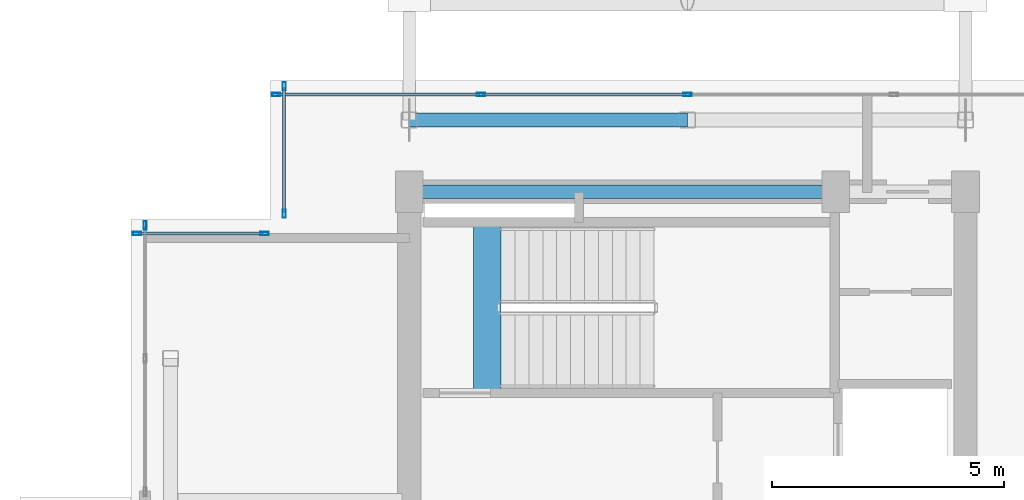
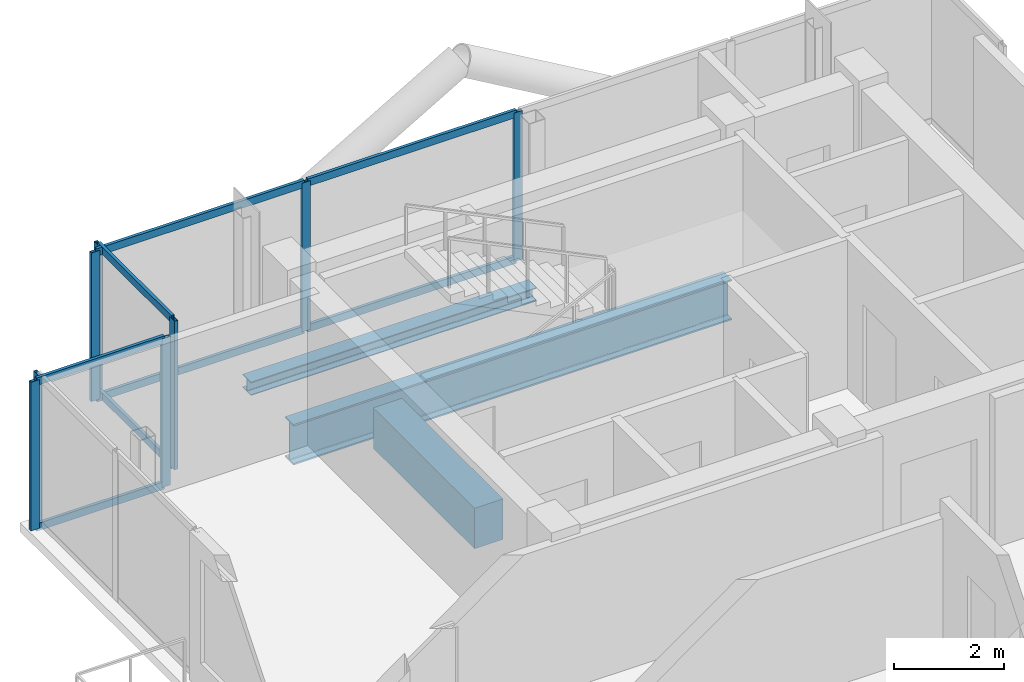
# One storey, part 8 of 18: 16 members, 3 beams, 4 elements without a shape of their own.
"""IFC4 building model written with IfcOpenShell, lengths in metres."""

from ifc_helpers import new_model, si_unit, direction, frame, origin, origin_2d, place, context, subcontext, project, spatial, rectangle, hollow_rectangle, i_section, extrude, material, layer, layer_set, material_profile, profile_set, type_object, element, aggregate, save


model = new_model("IFC4")

# Units and contexts
model_context = context("Model", 3, precision=1e-05, world=origin(), true_north=direction((0.0, 1.0)))
body_context = subcontext(model_context, "Body", "Model", "MODEL_VIEW")
ifc_project = project(units=[si_unit("LENGTHUNIT", "METRE"), si_unit("AREAUNIT", "SQUARE_METRE"), si_unit("VOLUMEUNIT", "CUBIC_METRE"), si_unit("PLANEANGLEUNIT", "RADIAN"), si_unit("MASSUNIT", "GRAM", prefix="KILO"), si_unit("THERMODYNAMICTEMPERATUREUNIT", "KELVIN"), si_unit("POWERUNIT", "WATT")], contexts=[model_context])

# Site, building, storey
site_placement = place(None, origin())
site = spatial("IfcSite", under=ifc_project, at=site_placement, CompositionType="ELEMENT")
building_placement = place(site_placement, origin())
building = spatial("IfcBuilding", under=site, at=building_placement, Name="Svarakhadi Broadcast Tower", CompositionType="ELEMENT")
storey_placement = place(building_placement, frame((0.0, 0.0, 278.199951171875)))
storey = spatial("IfcBuildingStorey", under=building, at=storey_placement, Name="L70", CompositionType="ELEMENT", Elevation=278.199951171875)

# Curtain wall, member
ifc_material_1 = material(Name="Anodised Bronze Aluminium AA 6063-T6", Category="aluminium")
ifc_layer = layer(ifc_material_1, 0.179931640625)
ifc_layer_set = layer_set([ifc_layer], Name="Anodised Bronze Aluminium AA 6063-T6")
curtain_wall_type = type_object("IfcCurtainWallType", Name="CW_Sys_05", PredefinedType="NOTDEFINED", material=ifc_layer_set)
curtain_wall_1_placement = place(storey_placement, origin())
curtain_wall_1 = element("IfcCurtainWall", 1, at=curtain_wall_1_placement, inside=storey, type_object=curtain_wall_type, Name="L70 West Curtain Wall 03", PredefinedType="NOTDEFINED")
ifc_material_profile_1 = material_profile(ifc_material_1, hollow_rectangle(XDim=0.070068359375, YDim=0.179931640625, WallThickness=0.005615234375, at=origin_2d()), Name="ALU MULLION 180x70x6")
ifc_profile_set_1 = profile_set([ifc_material_profile_1], Name="Anodised Bronze Aluminium AA 6063-T6")
member_type_1 = type_object("IfcMemberType", Name="CW_Sys_05_Mul", PredefinedType="MULLION", material=ifc_profile_set_1)
member_1_placement = place(storey_placement, frame((0.300048828125, 26.875, 0.0), z_axis=(0.0, 0.0, 1.0), x_axis=(-1.0, 0.0, 0.0)))
member_1 = element("IfcMember", 2, at=member_1_placement, type_object=member_type_1, Name="CW-05 mullion 3", PredefinedType="MULLION", context=body_context, shape_type="SweptSolid", body=[
    extrude(hollow_rectangle(XDim=0.070068359375, YDim=0.179931640625, WallThickness=0.005615234375, at=origin_2d()), origin(), (0.0, 0.0, 1.0), 3.300048828125),
])
aggregate(curtain_wall_1, [member_1])

# Curtain wall, members
curtain_wall_2_placement = place(storey_placement, origin())
curtain_wall_2 = element("IfcCurtainWall", 3, at=curtain_wall_2_placement, inside=storey, type_object=curtain_wall_type, Name="L70 Unitised Facade Curtain Wall 04", PredefinedType="NOTDEFINED")
member_2_placement = place(storey_placement, frame((0.125, 26.699951171875, 0.0), z_axis=(0.0, 0.0, 1.0), x_axis=(0.0, 1.0, 0.0)))
member_2 = element("IfcMember", 4, at=member_2_placement, type_object=member_type_1, Name="CW-05 mullion 1", PredefinedType="MULLION", context=body_context, shape_type="SweptSolid", body=[
    extrude(hollow_rectangle(XDim=0.070068359375, YDim=0.179931640625, WallThickness=0.005615234375, at=origin_2d()), origin(), (0.0, 0.0, 1.0), 3.300048828125),
])
member_3_placement = place(storey_placement, frame((2.875, 26.699951171875, 0.0), z_axis=(0.0, 0.0, 1.0), x_axis=(0.0, 1.0, 0.0)))
member_3 = element("IfcMember", 5, at=member_3_placement, type_object=member_type_1, Name="CW-05 mullion 2", PredefinedType="MULLION", context=body_context, shape_type="SweptSolid", body=[
    extrude(hollow_rectangle(XDim=0.070068359375, YDim=0.179931640625, WallThickness=0.005615234375, at=origin_2d()), origin(), (0.0, 0.0, 1.0), 3.300048828125),
])

curtain_wall_3_placement = place(storey_placement, origin())
curtain_wall_3 = element("IfcCurtainWall", 6, at=curtain_wall_3_placement, inside=storey, type_object=curtain_wall_type, Name="L70 Unitised Facade Curtain Wall 05", PredefinedType="NOTDEFINED")
member_4_placement = place(storey_placement, frame((3.300048828125, 27.125, 0.0), z_axis=(0.0, 0.0, 1.0), x_axis=(-1.0, 0.0, 0.0)))
member_4 = element("IfcMember", 7, at=member_4_placement, type_object=member_type_1, Name="CW-05 mullion 1", PredefinedType="MULLION", context=body_context, shape_type="SweptSolid", body=[
    extrude(hollow_rectangle(XDim=0.070068359375, YDim=0.179931640625, WallThickness=0.005615234375, at=origin_2d()), origin(), (0.0, 0.0, 1.0), 3.300048828125),
])
member_5_placement = place(storey_placement, frame((3.300048828125, 29.875, 0.0), z_axis=(0.0, 0.0, 1.0), x_axis=(-1.0, 0.0, 0.0)))
member_5 = element("IfcMember", 8, at=member_5_placement, type_object=member_type_1, Name="CW-05 mullion 2", PredefinedType="MULLION", context=body_context, shape_type="SweptSolid", body=[
    extrude(hollow_rectangle(XDim=0.070068359375, YDim=0.179931640625, WallThickness=0.005615234375, at=origin_2d()), origin(), (0.0, 0.0, 1.0), 3.300048828125),
])

curtain_wall_4_placement = place(storey_placement, origin())
curtain_wall_4 = element("IfcCurtainWall", 9, at=curtain_wall_4_placement, inside=storey, type_object=curtain_wall_type, Name="L70 Unitised Facade Curtain Wall 06", PredefinedType="NOTDEFINED")
member_6_placement = place(storey_placement, frame((3.125, 29.699951171875, 0.0), z_axis=(0.0, 0.0, 1.0), x_axis=(0.0, 1.0, 0.0)))
member_6 = element("IfcMember", 10, at=member_6_placement, type_object=member_type_1, Name="CW-05 mullion 1", PredefinedType="MULLION", context=body_context, shape_type="SweptSolid", body=[
    extrude(hollow_rectangle(XDim=0.070068359375, YDim=0.179931640625, WallThickness=0.005615234375, at=origin_2d()), origin(), (0.0, 0.0, 1.0), 3.300048828125),
])
member_7_placement = place(storey_placement, frame((7.544921875, 29.699951171875, 0.0), z_axis=(0.0, 0.0, 1.0), x_axis=(0.0, 1.0, 0.0)))
member_7 = element("IfcMember", 11, at=member_7_placement, type_object=member_type_1, Name="CW-05 mullion 2", PredefinedType="MULLION", context=body_context, shape_type="SweptSolid", body=[
    extrude(hollow_rectangle(XDim=0.070068359375, YDim=0.179931640625, WallThickness=0.005615234375, at=origin_2d()), origin(), (0.0, 0.0, 1.0), 3.300048828125),
])
member_8_placement = place(storey_placement, frame((12.0, 29.699951171875, 0.0), z_axis=(0.0, 0.0, 1.0), x_axis=(0.0, 1.0, 0.0)))
member_8 = element("IfcMember", 12, at=member_8_placement, type_object=member_type_1, Name="CW-05 mullion 3", PredefinedType="MULLION", context=body_context, shape_type="SweptSolid", body=[
    extrude(hollow_rectangle(XDim=0.070068359375, YDim=0.179931640625, WallThickness=0.005615234375, at=origin_2d()), origin(), (0.0, 0.0, 1.0), 3.300048828125),
])

# Member
ifc_material_profile_2 = material_profile(ifc_material_1, hollow_rectangle(XDim=0.06494140625, YDim=0.1650390625, WallThickness=0.0048828125, at=origin_2d()), Name="ALU TRANSOM 165x65x5")
ifc_profile_set_2 = profile_set([ifc_material_profile_2], Name="Anodised Bronze Aluminium AA 6063-T6")
member_type_2 = type_object("IfcMemberType", Name="CW_Sys_05_Trn", PredefinedType="USERDEFINED", material=ifc_profile_set_2)
member_9_placement = place(storey_placement, frame((0.159912109375, 26.699951171875, 0.032470703125), z_axis=(1.0, 0.0, 0.0), x_axis=(0.0, 1.0, 0.0)))
member_9 = element("IfcMember", 13, at=member_9_placement, type_object=member_type_2, Name="CW-05 transom 1.1", ObjectType="TRANSOM", PredefinedType="USERDEFINED", context=body_context, shape_type="SweptSolid", body=[
    extrude(hollow_rectangle(XDim=0.06494140625, YDim=0.1650390625, WallThickness=0.0048828125, at=origin_2d()), origin(), (0.0, 0.0, 1.0), 2.68017578125),
])

member_10_placement = place(storey_placement, frame((0.159912109375, 26.699951171875, 3.267578125), z_axis=(1.0, 0.0, 0.0), x_axis=(0.0, 1.0, 0.0)))
member_10 = element("IfcMember", 14, at=member_10_placement, type_object=member_type_2, Name="CW-05 transom 1.2", ObjectType="TRANSOM", PredefinedType="USERDEFINED", context=body_context, shape_type="SweptSolid", body=[
    extrude(hollow_rectangle(XDim=0.06494140625, YDim=0.1650390625, WallThickness=0.0048828125, at=origin_2d()), origin(), (0.0, 0.0, 1.0), 2.68017578125),
])

aggregate(curtain_wall_2, [member_2, member_3, member_9, member_10])

member_11_placement = place(storey_placement, frame((3.300048828125, 27.159912109375, 0.032470703125), z_axis=(0.0, 1.0, 0.0), x_axis=(-1.0, 0.0, 0.0)))
member_11 = element("IfcMember", 15, at=member_11_placement, type_object=member_type_2, Name="CW-05 transom 1.1", ObjectType="TRANSOM", PredefinedType="USERDEFINED", context=body_context, shape_type="SweptSolid", body=[
    extrude(hollow_rectangle(XDim=0.06494140625, YDim=0.1650390625, WallThickness=0.0048828125, at=origin_2d()), origin(), (0.0, 0.0, 1.0), 2.68017578125),
])

member_12_placement = place(storey_placement, frame((3.300048828125, 27.159912109375, 3.267578125), z_axis=(0.0, 1.0, 0.0), x_axis=(-1.0, 0.0, 0.0)))
member_12 = element("IfcMember", 16, at=member_12_placement, type_object=member_type_2, Name="CW-05 transom 1.2", ObjectType="TRANSOM", PredefinedType="USERDEFINED", context=body_context, shape_type="SweptSolid", body=[
    extrude(hollow_rectangle(XDim=0.06494140625, YDim=0.1650390625, WallThickness=0.0048828125, at=origin_2d()), origin(), (0.0, 0.0, 1.0), 2.68017578125),
])

aggregate(curtain_wall_3, [member_4, member_5, member_11, member_12])

member_13_placement = place(storey_placement, frame((3.159912109375, 29.699951171875, 0.032470703125), z_axis=(1.0, 0.0, 0.0), x_axis=(0.0, 1.0, 0.0)))
member_13 = element("IfcMember", 17, at=member_13_placement, type_object=member_type_2, Name="CW-05 transom 1.1", ObjectType="TRANSOM", PredefinedType="USERDEFINED", context=body_context, shape_type="SweptSolid", body=[
    extrude(hollow_rectangle(XDim=0.06494140625, YDim=0.1650390625, WallThickness=0.0048828125, at=origin_2d()), origin(), (0.0, 0.0, 1.0), 4.35009765625),
])

member_14_placement = place(storey_placement, frame((3.159912109375, 29.699951171875, 3.267578125), z_axis=(1.0, 0.0, 0.0), x_axis=(0.0, 1.0, 0.0)))
member_14 = element("IfcMember", 18, at=member_14_placement, type_object=member_type_2, Name="CW-05 transom 1.2", ObjectType="TRANSOM", PredefinedType="USERDEFINED", context=body_context, shape_type="SweptSolid", body=[
    extrude(hollow_rectangle(XDim=0.06494140625, YDim=0.1650390625, WallThickness=0.0048828125, at=origin_2d()), origin(), (0.0, 0.0, 1.0), 4.35009765625),
])

member_15_placement = place(storey_placement, frame((7.580078125, 29.699951171875, 0.032470703125), z_axis=(1.0, 0.0, 0.0), x_axis=(0.0, 1.0, 0.0)))
member_15 = element("IfcMember", 19, at=member_15_placement, type_object=member_type_2, Name="CW-05 transom 2.1", ObjectType="TRANSOM", PredefinedType="USERDEFINED", context=body_context, shape_type="SweptSolid", body=[
    extrude(hollow_rectangle(XDim=0.06494140625, YDim=0.1650390625, WallThickness=0.0048828125, at=origin_2d()), origin(), (0.0, 0.0, 1.0), 4.385009765625),
])

member_16_placement = place(storey_placement, frame((7.580078125, 29.699951171875, 3.267578125), z_axis=(1.0, 0.0, 0.0), x_axis=(0.0, 1.0, 0.0)))
member_16 = element("IfcMember", 20, at=member_16_placement, type_object=member_type_2, Name="CW-05 transom 2.2", ObjectType="TRANSOM", PredefinedType="USERDEFINED", context=body_context, shape_type="SweptSolid", body=[
    extrude(hollow_rectangle(XDim=0.06494140625, YDim=0.1650390625, WallThickness=0.0048828125, at=origin_2d()), origin(), (0.0, 0.0, 1.0), 4.385009765625),
])

aggregate(curtain_wall_4, [member_6, member_7, member_8, member_13, member_14, member_15, member_16])

# Beams
ifc_material_2 = material(Name="Concrete C50/60 (IS 456 M60)", Category="concrete")
ifc_material_profile_3 = material_profile(ifc_material_2, rectangle(XDim=0.60009765625, YDim=0.89990234375, at=origin_2d()), Name="RC 600x900")
ifc_profile_set_3 = profile_set([ifc_material_profile_3], Name="Concrete C50/60 (IS 456 M60)")
beam_type_1 = type_object("IfcBeamType", Name="Coupling_RC600", PredefinedType="USERDEFINED", material=ifc_profile_set_3)
beam_1_placement = place(storey_placement, frame((7.679931640625, 23.260009765625, -0.449951171875), z_axis=(0.0, 1.0, 0.0), x_axis=(-1.0, 0.0, 0.0)))
element("IfcBeam", 21, at=beam_1_placement, inside=storey, type_object=beam_type_1, Name="L70 Stair ST-01 Landing Throat Trimmer Beam CB-01", ObjectType="GIRDER", PredefinedType="USERDEFINED", context=body_context, shape_type="SweptSolid", body=[
    extrude(rectangle(XDim=0.60009765625, YDim=0.89990234375, at=origin_2d()), origin(), (0.0, 0.0, 1.0), 3.679931640625),
])
ifc_material_3 = material(Name="Steel S355J2 (IS 2062 E350C)", Category="steel")
ifc_material_profile_4 = material_profile(ifc_material_3, i_section(OverallWidth=0.300048828125, OverallDepth=0.300048828125, WebThickness=0.010986328125, FlangeThickness=0.01904296875, FilletRadius=0.027099609375, at=origin_2d()), Name="WPB 300x300x117")
ifc_profile_set_4 = profile_set([ifc_material_profile_4], Name="Steel S355J2 (IS 2062 E350C)")
beam_type_2 = type_object("IfcBeamType", Name="Girder_WPB300", PredefinedType="USERDEFINED", material=ifc_profile_set_4)
beam_2_placement = place(storey_placement, frame((6.0, 29.14990234375, -0.349853515625), z_axis=(1.0, 0.0, 0.0), x_axis=(0.0, 1.0, 0.0)))
element("IfcBeam", 22, at=beam_2_placement, inside=storey, type_object=beam_type_2, Name="L70 Primary E-W Girder G024", ObjectType="GIRDER", PredefinedType="USERDEFINED", context=body_context, shape_type="SweptSolid", body=[
    extrude(i_section(OverallWidth=0.300048828125, OverallDepth=0.300048828125, WebThickness=0.010986328125, FlangeThickness=0.01904296875, FilletRadius=0.027099609375, at=origin_2d()), origin(), (0.0, 0.0, 1.0), 6.0),
])
ifc_material_4 = material(Name="Steel S460ML (IS 2062 E450BR)", Category="steel")
ifc_material_profile_5 = material_profile(ifc_material_4, i_section(OverallWidth=0.300048828125, OverallDepth=0.89990234375, WebThickness=0.0185546875, FlangeThickness=0.034912109375, FilletRadius=0.030029296875, at=origin_2d()), Name="WPB 900x300x291")
ifc_profile_set_5 = profile_set([ifc_material_profile_5], Name="Steel S460ML (IS 2062 E450BR)")
beam_type_3 = type_object("IfcBeamType", Name="Girder_WPB900", PredefinedType="USERDEFINED", material=ifc_profile_set_5)
beam_3_placement = place(storey_placement, frame((6.0, 27.60009765625, -0.64990234375), z_axis=(1.0, 0.0, 0.0), x_axis=(0.0, 1.0, 0.0)))
element("IfcBeam", 23, at=beam_3_placement, inside=storey, type_object=beam_type_3, Name="L70 Primary E-W Girder G022", ObjectType="GIRDER", PredefinedType="USERDEFINED", context=body_context, shape_type="SweptSolid", body=[
    extrude(i_section(OverallWidth=0.300048828125, OverallDepth=0.89990234375, WebThickness=0.0185546875, FlangeThickness=0.034912109375, FilletRadius=0.030029296875, at=origin_2d()), origin(), (0.0, 0.0, 1.0), 9.199951171875),
])

save(model, "model.ifc")
